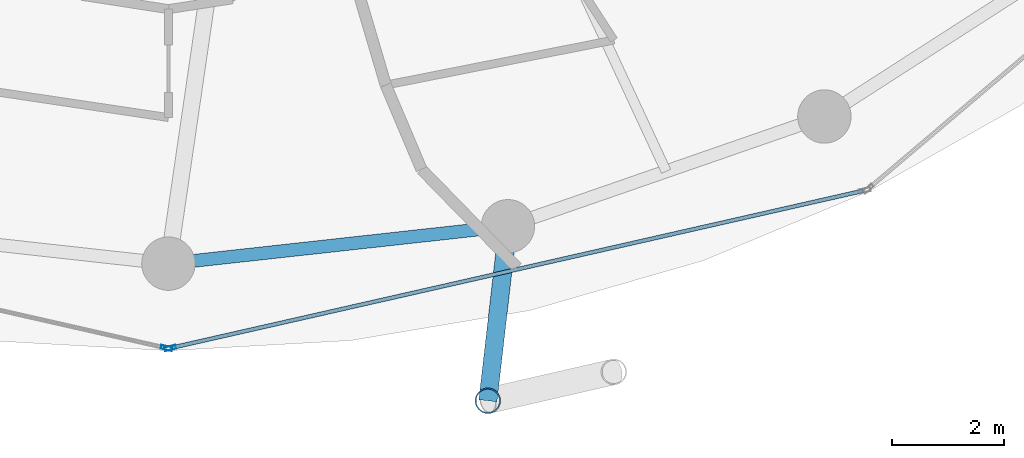
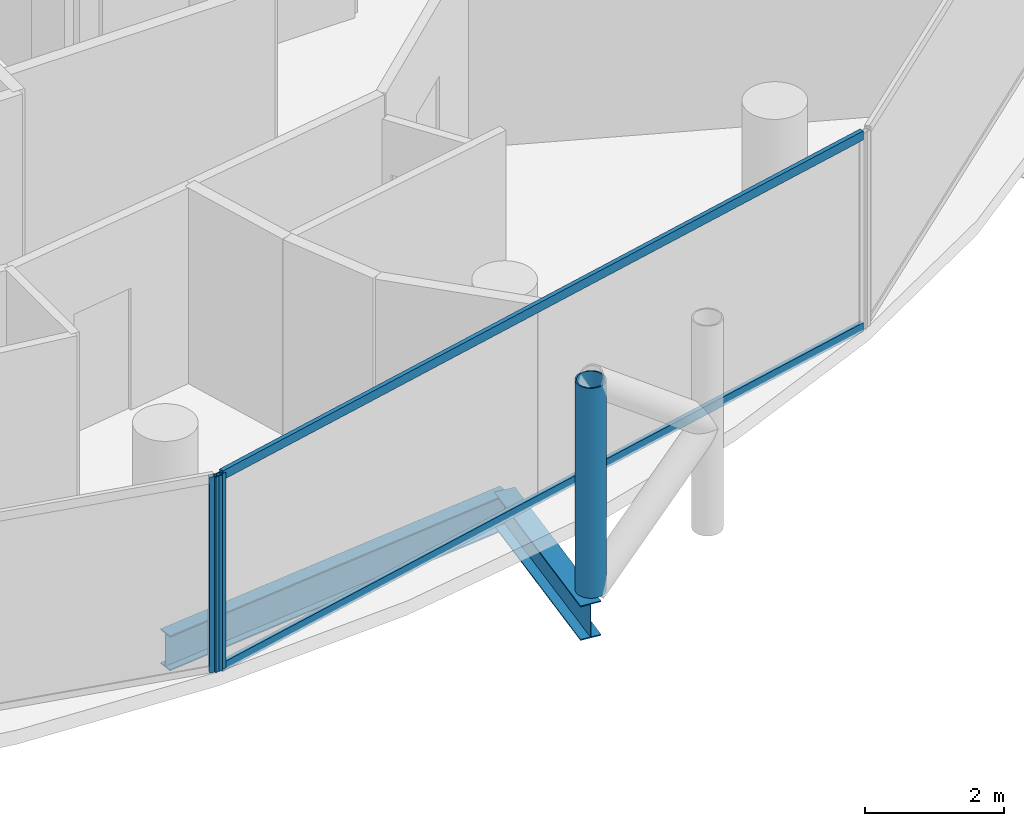
# One storey, part 4 of 26: 5 members, 2 beams, 2 elements without a shape of their own.
"""IFC4 building model written with IfcOpenShell, lengths in metres."""

from ifc_helpers import new_model, si_unit, direction, frame, origin, origin_2d, place, context, subcontext, project, spatial, hollow_rectangle, hollow_circle, i_section, extrude, material, layer, layer_set, material_profile, profile_set, type_object, element, aggregate, save


model = new_model("IFC4")

# Units and contexts
model_context = context("Model", 3, precision=1e-05, world=origin(), true_north=direction((0.0, 1.0)))
body_context = subcontext(model_context, "Body", "Model", "MODEL_VIEW")
ifc_project = project(units=[si_unit("LENGTHUNIT", "METRE"), si_unit("AREAUNIT", "SQUARE_METRE"), si_unit("VOLUMEUNIT", "CUBIC_METRE"), si_unit("PLANEANGLEUNIT", "RADIAN"), si_unit("MASSUNIT", "GRAM", prefix="KILO")], contexts=[model_context])

# Site, building, storey
site_placement = place(None, origin())
site = spatial("IfcSite", under=ifc_project, at=site_placement, CompositionType="ELEMENT")
building_placement = place(site_placement, origin())
building = spatial("IfcBuilding", under=site, at=building_placement, Name="Nuhasar Tower", CompositionType="ELEMENT")
storey_placement = place(building_placement, frame((0.0, 0.0, 125.64990234375)))
storey = spatial("IfcBuildingStorey", under=building, at=storey_placement, Name="L29", CompositionType="ELEMENT", Elevation=125.64990234375)

# Beams
ifc_material_1 = material(Name="Steel S355", Category="steel")
ifc_material_profile_1 = material_profile(ifc_material_1, i_section(OverallWidth=0.22998046875, OverallDepth=0.616943359375, WebThickness=0.01318359375, FlangeThickness=0.022216796875, at=origin_2d()), Name="W24X94")
ifc_profile_set_1 = profile_set([ifc_material_profile_1], Name="Steel S355")
beam_type_1 = type_object("IfcBeamType", Name="BM-RING-W24X94", PredefinedType="SPANDREL", material=ifc_profile_set_1)
beam_1_placement = place(storey_placement, frame((39.0, 7.25, -0.557861328125), z_axis=(0.993981289157, 0.109549974015, 0.0), x_axis=(-0.109549974015, 0.993981289157, 0.0)))
element("IfcBeam", 1, at=beam_1_placement, inside=storey, type_object=beam_type_1, Name="L29 Perimeter Ring Spandrel 19", PredefinedType="SPANDREL", context=body_context, shape_type="SweptSolid", body=[
    extrude(i_section(OverallWidth=0.22998046875, OverallDepth=0.616943359375, WebThickness=0.01318359375, FlangeThickness=0.022216796875, at=origin_2d()), origin(), (0.0, 0.0, 1.0), 6.07958984375),
])
ifc_material_profile_2 = material_profile(ifc_material_1, i_section(OverallWidth=0.323974609375, OverallDepth=0.611083984375, WebThickness=0.0126953125, FlangeThickness=0.01904296875, at=origin_2d()), Name="W24X104")
ifc_profile_set_2 = profile_set([ifc_material_profile_2], Name="Steel S355")
beam_type_2 = type_object("IfcBeamType", Name="BM-TIE-W24X104", PredefinedType="BEAM", material=ifc_profile_set_2)
beam_2_placement = place(storey_placement, frame((45.04296875, 7.916015625, -0.554931640625), z_axis=(-0.114167639647, -0.993461499031, 0.0), x_axis=(0.993461499031, -0.114167639647, 0.0)))
element("IfcBeam", 2, at=beam_2_placement, inside=storey, type_object=beam_type_2, Name="L29 Exoskeleton Node Tie Beam 10", PredefinedType="BEAM", context=body_context, shape_type="SweptSolid", body=[
    extrude(i_section(OverallWidth=0.323974609375, OverallDepth=0.611083984375, WebThickness=0.0126953125, FlangeThickness=0.01904296875, at=origin_2d()), origin(), (0.0, 0.0, 1.0), 3.12646484375),
])

# Curtain wall, member
ifc_material_2 = material(Name="Aluminium 6063-T6", Category="aluminium")
ifc_layer = layer(ifc_material_2, 0.199951171875)
ifc_layer_set = layer_set([ifc_layer], Name="Aluminium 6063-T6")
curtain_wall_type = type_object("IfcCurtainWallType", Name="CW-Z2-HTL", PredefinedType="NOTDEFINED", material=ifc_layer_set)
curtain_wall_1_placement = place(storey_placement, origin())
curtain_wall_1 = element("IfcCurtainWall", 3, at=curtain_wall_1_placement, inside=storey, type_object=curtain_wall_type, Name="L29 Unitised Curtain Wall 09", PredefinedType="NOTDEFINED")
ifc_material_profile_3 = material_profile(ifc_material_2, hollow_rectangle(XDim=0.070068359375, YDim=0.199951171875, WallThickness=0.0048828125, at=origin_2d()), Name="CWM-3")
ifc_profile_set_3 = profile_set([ifc_material_profile_3], Name="Aluminium 6063-T6")
member_type_1 = type_object("IfcMemberType", Name="CW-MUL-S3", PredefinedType="MULLION", material=ifc_profile_set_3)
member_1_placement = place(storey_placement, frame((38.9658203125, 5.747802734375, 0.0), z_axis=(0.0, 0.0, 1.0), x_axis=(0.22139729566, 0.975183694221, 0.0)))
member_1 = element("IfcMember", 4, at=member_1_placement, type_object=member_type_1, Name="CW-Z2 mullion 2", PredefinedType="MULLION", context=body_context, shape_type="SweptSolid", body=[
    extrude(hollow_rectangle(XDim=0.070068359375, YDim=0.199951171875, WallThickness=0.0048828125, at=origin_2d()), origin(), (0.0, 0.0, 1.0), 3.4501953125),
])
aggregate(curtain_wall_1, [member_1])

# Curtain wall, members
curtain_wall_2_placement = place(storey_placement, origin())
curtain_wall_2 = element("IfcCurtainWall", 5, at=curtain_wall_2_placement, inside=storey, type_object=curtain_wall_type, Name="L29 Unitised Curtain Wall 10", PredefinedType="NOTDEFINED")
member_2_placement = place(storey_placement, frame((39.0341796875, 5.747802734375, 0.0), z_axis=(0.0, 0.0, 1.0), x_axis=(-0.22139729566, 0.975183694221, 0.0)))
member_2 = element("IfcMember", 6, at=member_2_placement, type_object=member_type_1, Name="CW-Z2 mullion 1", PredefinedType="MULLION", context=body_context, shape_type="SweptSolid", body=[
    extrude(hollow_rectangle(XDim=0.070068359375, YDim=0.199951171875, WallThickness=0.0048828125, at=origin_2d()), origin(), (0.0, 0.0, 1.0), 3.4501953125),
])
ifc_material_profile_4 = material_profile(ifc_material_2, hollow_rectangle(XDim=0.070068359375, YDim=0.159912109375, WallThickness=0.00439453125, at=origin_2d()), Name="CWT-3")
ifc_profile_set_4 = profile_set([ifc_material_profile_4], Name="Aluminium 6063-T6")
member_type_2 = type_object("IfcMemberType", Name="CW-TRN-S3", PredefinedType="USERDEFINED", material=ifc_profile_set_4)
member_3_placement = place(storey_placement, frame((39.068359375, 5.755615234375, 0.03515625), z_axis=(0.975187615691, 0.221380022142, 0.0), x_axis=(-0.221380022142, 0.975187615691, 0.0)))
member_3 = element("IfcMember", 7, at=member_3_placement, type_object=member_type_2, Name="CW-Z2 transom 1.1", ObjectType="TRANSOM", PredefinedType="USERDEFINED", context=body_context, shape_type="SweptSolid", body=[
    extrude(hollow_rectangle(XDim=0.070068359375, YDim=0.159912109375, WallThickness=0.00439453125, at=origin_2d()), origin(), (0.0, 0.0, 1.0), 12.606201171875),
])
member_4_placement = place(storey_placement, frame((39.068359375, 5.755615234375, 3.4150390625), z_axis=(0.975187615691, 0.221380022142, 0.0), x_axis=(-0.221380022142, 0.975187615691, 0.0)))
member_4 = element("IfcMember", 8, at=member_4_placement, type_object=member_type_2, Name="CW-Z2 transom 1.2", ObjectType="TRANSOM", PredefinedType="USERDEFINED", context=body_context, shape_type="SweptSolid", body=[
    extrude(hollow_rectangle(XDim=0.070068359375, YDim=0.159912109375, WallThickness=0.00439453125, at=origin_2d()), origin(), (0.0, 0.0, 1.0), 12.606201171875),
])
aggregate(curtain_wall_2, [member_2, member_3, member_4])

# Member
ifc_material_3 = material(Name="Steel S460", Category="steel")
ifc_material_profile_5 = material_profile(ifc_material_3, hollow_circle(Radius=0.228515625, WallThickness=0.022216796875, at=origin_2d()), Name="HSS457X22.2")
ifc_profile_set_5 = profile_set([ifc_material_profile_5], Name="Steel S460")
member_type_3 = type_object("IfcMemberType", Name="EXO-BRONZE-457", PredefinedType="BRACE", material=ifc_profile_set_5)
member_5_placement = place(storey_placement, frame((44.68603515625, 4.81005859375, 0.0), z_axis=(0.0, 0.0, 1.0), x_axis=(1.0, 0.0, 0.0)))
element("IfcMember", 9, at=member_5_placement, inside=storey, type_object=member_type_3, Name="L29 Exoskeleton Chord Column EC-10A", PredefinedType="BRACE", context=body_context, shape_type="SweptSolid", body=[
    extrude(hollow_circle(Radius=0.228515625, WallThickness=0.022216796875, at=origin_2d()), origin(), (0.0, 0.0, 1.0), 3.7001953125),
])

save(model, "model.ifc")
